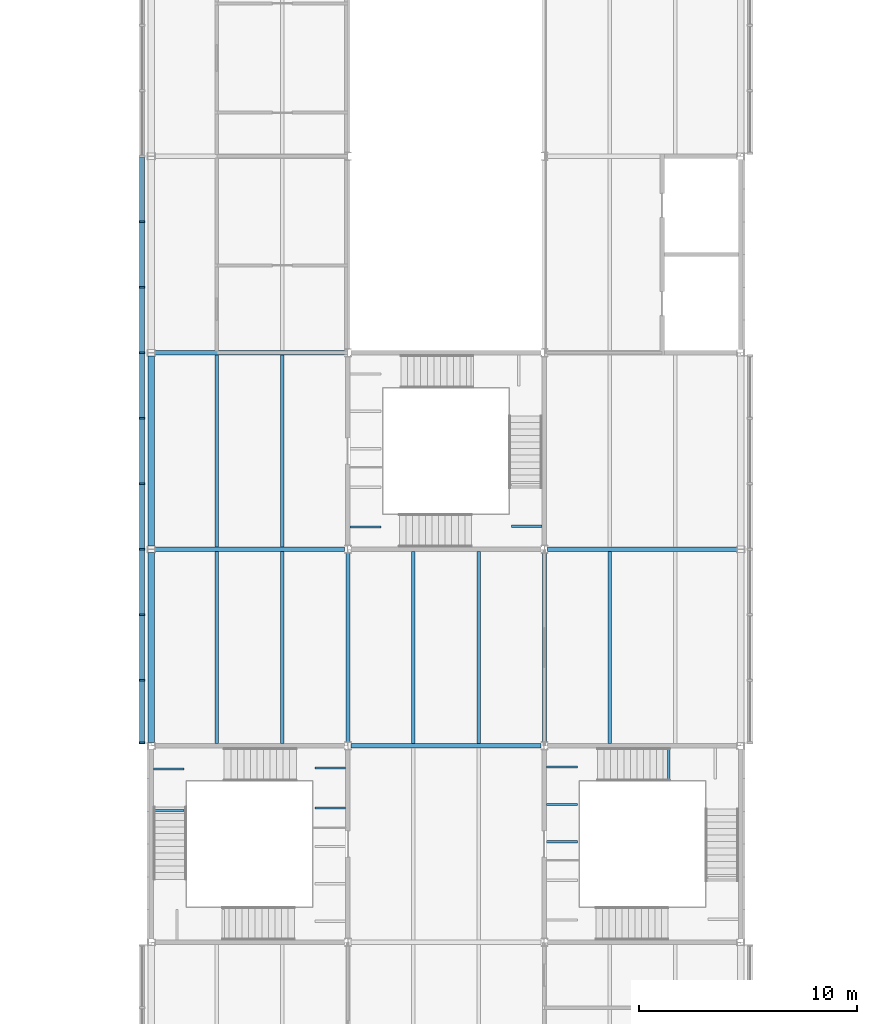
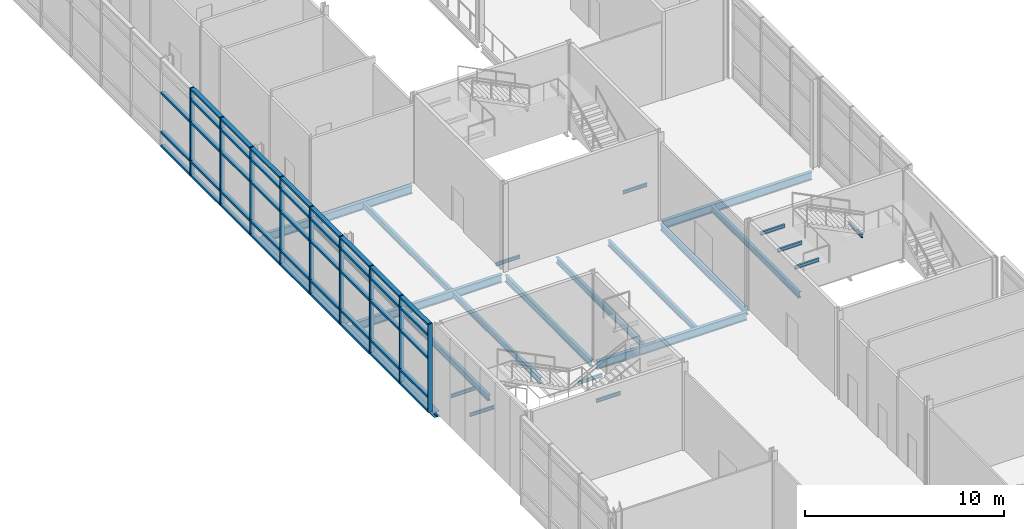
# One storey, part 11 of 52: 52 members, 25 beams, 1 element without a shape of its own.
"""IFC4 building model written with IfcOpenShell, lengths in metres."""

import ifcopenshell
import ifcopenshell.guid

model = None  # the IFC model being written
_history = None  # IfcOwnerHistory: only IFC2X3 demands one
_inside = {}  # id of a spatial element -> (the spatial element, [elements in it])
_under = {}  # id of a project, library or spatial element -> (it, [spatial elements below it])
_declared = {}  # id of a project -> (the project, [libraries it declares])
_typed = {}  # id of a type object -> (the type object, [elements of that type])
_made_of = {}  # id of a material, layer set ... -> (it, [elements and type objects made of it])


def new_model(schema):
    """Start an empty IFC model of exactly this schema.

    Asked for "IFC4X3", IfcOpenShell would pick the latest addendum, in which some entities
    have other attributes; the version numbers below select the first issue.
    IFC2X3 requires an IfcOwnerHistory on every rooted entity: one is made here for all.
    """
    global model, _history
    if schema == "IFC4X3":
        model = ifcopenshell.file(schema_version=(4, 3, 0, 0))
    else:
        model = ifcopenshell.file(schema=schema)
    _inside.clear()
    _under.clear()
    _declared.clear()
    _typed.clear()
    _made_of.clear()
    _history = None
    if model.schema == "IFC2X3":
        org = make("IfcOrganization", Name="unknown")
        user = make(
            "IfcPersonAndOrganization",
            ThePerson=make("IfcPerson", FamilyName="unknown"),
            TheOrganization=org,
        )
        app = make(
            "IfcApplication",
            ApplicationDeveloper=org,
            Version="unknown",
            ApplicationFullName="unknown",
            ApplicationIdentifier="unknown",
        )
        _history = make(
            "IfcOwnerHistory",
            OwningUser=user,
            OwningApplication=app,
            ChangeAction="ADDED",
            CreationDate=0,
        )
    return model


def make(cls, **values):
    """One entity of the class cls with the attributes given. An attribute that is None is left unset."""
    return model.create_entity(
        cls, **{name: value for name, value in values.items() if value is not None}
    )


def rooted(cls, **values):
    """An entity with a GlobalId (a new one), such as an element, a storey or a relation."""
    return make(cls, GlobalId=ifcopenshell.guid.new(), OwnerHistory=_history, **values)


def si_unit(unit_type, name, prefix=None):
    """IfcSIUnit, for example si_unit("LENGTHUNIT", "METRE", prefix="MILLI")."""
    return make("IfcSIUnit", UnitType=unit_type, Prefix=prefix, Name=name)


def assignment(units):
    """IfcUnitAssignment: the units of a project."""
    return None if units is None else make("IfcUnitAssignment", Units=units)


def point(xyz):
    """IfcCartesianPoint."""
    return None if xyz is None else make("IfcCartesianPoint", Coordinates=xyz)


def direction(xyz):
    """IfcDirection."""
    return None if xyz is None else make("IfcDirection", DirectionRatios=xyz)


def frame(location, z_axis=None, x_axis=None):
    """IfcAxis2Placement3D, a coordinate frame: its origin and axes. An axis left out is left unset."""
    return make(
        "IfcAxis2Placement3D",
        Location=point(location),
        Axis=direction(z_axis),
        RefDirection=direction(x_axis),
    )


def frame_2d(location, x_axis=None):
    """IfcAxis2Placement2D, a coordinate frame in the plane: its origin and x axis."""
    return make(
        "IfcAxis2Placement2D", Location=point(location), RefDirection=direction(x_axis)
    )


def origin():
    """The frame at (0, 0, 0) with its axes left unset."""
    return frame((0.0, 0.0, 0.0))


def origin_2d():
    """The frame at (0, 0) in the plane with its x axis left unset."""
    return frame_2d((0.0, 0.0))


def place(relative_to, where):
    """IfcLocalPlacement: puts the frame where relative to a parent placement (None: the world)."""
    return make(
        "IfcLocalPlacement", PlacementRelTo=relative_to, RelativePlacement=where
    )


def context(
    kind, dimensions, precision=None, world=None, true_north=None, identifier=None
):
    """IfcGeometricRepresentationContext, for example the 3D "Model" context."""
    return make(
        "IfcGeometricRepresentationContext",
        ContextIdentifier=identifier,
        ContextType=kind,
        CoordinateSpaceDimension=dimensions,
        Precision=precision,
        WorldCoordinateSystem=world,
        TrueNorth=true_north,
    )


def subcontext(parent, identifier, kind, view, scale=None):
    """IfcGeometricRepresentationSubContext, for example "Body" below "Model"."""
    return make(
        "IfcGeometricRepresentationSubContext",
        ContextIdentifier=identifier,
        ContextType=kind,
        ParentContext=parent,
        TargetScale=scale,
        TargetView=view,
    )


def project(units=None, contexts=None):
    """IfcProject with its units and contexts."""
    return rooted(
        "IfcProject",
        Name="project",
        RepresentationContexts=contexts,
        UnitsInContext=assignment(units),
    )


def spatial(cls, under=None, at=None, **own):
    """A site, building, storey or space (cls), placed at a placement, below another one or the project."""
    s = rooted(cls, ObjectPlacement=at, **own)
    if under is not None:
        _under.setdefault(under.id(), (under, []))[1].append(s)
    return s


def profile(cls, at=None, kind="AREA", **sizes):
    """A parametric profile (cls). Its sizes go by their IFC names, for example OverallWidth=200.0."""
    return make(cls, ProfileType=kind, Position=at, **sizes)


def rectangle(**sizes):
    """IfcRectangleProfileDef."""
    return profile("IfcRectangleProfileDef", **sizes)


def i_section(**sizes):
    """IfcIShapeProfileDef."""
    return profile("IfcIShapeProfileDef", **sizes)


def extrude(swept, where, along, depth):
    """IfcExtrudedAreaSolid: the profile swept, set in the frame where, extruded along a direction by depth."""
    return make(
        "IfcExtrudedAreaSolid",
        SweptArea=swept,
        Position=where,
        ExtrudedDirection=direction(along),
        Depth=depth,
    )


def shape(context_of_items, identifier, shape_type, items):
    """IfcShapeRepresentation: the items that make up one representation, for example the "Body"."""
    return make(
        "IfcShapeRepresentation",
        ContextOfItems=context_of_items,
        RepresentationIdentifier=identifier,
        RepresentationType=shape_type,
        Items=items,
    )


def material(Name=None, Category=None):
    """IfcMaterial."""
    return make("IfcMaterial", Name=Name, Category=Category)


def material_profile(
    of_material, cross_section, Name=None, Category=None, Priority=None
):
    """IfcMaterialProfile: a cross section and its material."""
    return make(
        "IfcMaterialProfile",
        Name=Name,
        Material=of_material,
        Profile=cross_section,
        Priority=Priority,
        Category=Category,
    )


def profile_set(profiles, Name=None, composite=None):
    """IfcMaterialProfileSet."""
    return make(
        "IfcMaterialProfileSet",
        Name=Name,
        MaterialProfiles=profiles,
        CompositeProfile=composite,
    )


def made_of(thing, what):
    """Note that an element or type object is made of a material, layer set ...; save() writes the relation."""
    if what is not None:
        _made_of.setdefault(what.id(), (what, []))[1].append(thing)
    return thing


def type_object(cls, material=None, **own):
    """A type object (cls), such as IfcWallType, which elements share."""
    return made_of(rooted(cls, **own), material)


def element(
    cls,
    number,
    at=None,
    inside=None,
    cuts=None,
    type_object=None,
    material=None,
    context=None,
    identifier="Body",
    shape_type=None,
    held_by="IfcProductDefinitionShape",
    body=None,
    shapes=None,
    **own,
):
    """One element of the class cls, such as IfcWall. Its Tag is "e" and its number.

    at: its placement. inside: the storey or other place that contains it. cuts: it is an
    opening in that element (IfcRelVoidsElement). A single representation is given by context,
    identifier, shape_type and body (its items); several are given by shapes. held_by: the class
    of the entity that holds the representations. save() writes the other relations.
    """
    e = rooted(cls, Tag="e%d" % number, ObjectPlacement=at, **own)
    if body is not None:
        shapes = [shape(context, identifier, shape_type, body)]
    if shapes is not None:
        e.Representation = make(held_by, Representations=shapes)
    if inside is not None:
        _inside.setdefault(inside.id(), (inside, []))[1].append(e)
    if cuts is not None:
        rooted(
            "IfcRelVoidsElement", RelatingBuildingElement=cuts, RelatedOpeningElement=e
        )
    if type_object is not None:
        _typed.setdefault(type_object.id(), (type_object, []))[1].append(e)
    return made_of(e, material)


def aggregate(whole, parts):
    """IfcRelAggregates: a whole, such as a stair, and the parts it consists of."""
    return rooted("IfcRelAggregates", RelatingObject=whole, RelatedObjects=parts)


def save(model, path):
    """Write the relations noted so far, then the file.

    IfcRelAggregates (storeys below a building ...), IfcRelContainedInSpatialStructure (elements
    in a storey), IfcRelDefinesByType, IfcRelAssociatesMaterial and IfcRelDeclares: one each for
    every whole, place, type object, material and project.
    """
    for whole, parts in _under.values():
        aggregate(whole, parts)
    for where, things in _inside.values():
        rooted(
            "IfcRelContainedInSpatialStructure",
            RelatedElements=things,
            RelatingStructure=where,
        )
    for kind, things in _typed.values():
        rooted("IfcRelDefinesByType", RelatedObjects=things, RelatingType=kind)
    for what, things in _made_of.values():
        rooted("IfcRelAssociatesMaterial", RelatedObjects=things, RelatingMaterial=what)
    for by, libraries in _declared.values():
        rooted("IfcRelDeclares", RelatingContext=by, RelatedDefinitions=libraries)
    model.write(path)


model = new_model("IFC4")

# Units and contexts
model_context = context("Model", 3, precision=1e-05, world=origin(), true_north=direction((0.0, 1.0)))
body_context = subcontext(model_context, "Body", "Model", "MODEL_VIEW")
ifc_project = project(units=[si_unit("LENGTHUNIT", "METRE"), si_unit("AREAUNIT", "SQUARE_METRE"), si_unit("VOLUMEUNIT", "CUBIC_METRE"), si_unit("PLANEANGLEUNIT", "RADIAN"), si_unit("MASSUNIT", "GRAM", prefix="KILO")], contexts=[model_context])

# Site, building, storey
site_placement = place(None, origin())
site = spatial("IfcSite", under=ifc_project, at=site_placement, CompositionType="ELEMENT")
building_placement = place(site_placement, origin())
building = spatial("IfcBuilding", under=site, at=building_placement, Name="Azimuth Sports and Learning Centre", CompositionType="ELEMENT")
storey_placement = place(building_placement, frame((0.0, 0.0, 16.199951171875)))
storey = spatial("IfcBuildingStorey", under=building, at=storey_placement, Name="L03", CompositionType="ELEMENT", Elevation=16.199951171875)

# Beams
ifc_material_1 = material(Name="Steel S355", Category="steel")
ifc_material_profile_1 = material_profile(ifc_material_1, i_section(OverallWidth=0.10009765625, OverallDepth=0.199951171875, WebThickness=0.005615234375, FlangeThickness=0.008544921875, FilletRadius=0.011962890625, at=origin_2d()), Name="IPE 200")
ifc_profile_set_1 = profile_set([ifc_material_profile_1], Name="Steel S355")
beam_type_1 = type_object("IfcBeamType", Name="Beam IPE 200", PredefinedType="BEAM", material=ifc_profile_set_1)
for number, where, z_axis, x_axis, name in (
    (1, (80.89990234375, 33.159912109375, -0.300048828125), (-1.0, 0.0, 0.0), (0.0, -1.0, 0.0), "Landing bracket ST3 L03 1084"),
    (2, (80.89990234375, 34.97998046875, -0.300048828125), (-1.0, 0.0, 0.0), (0.0, -1.0, 0.0), "Landing bracket ST3 L03 1085"),
    (3, (72.10009765625, 33.0400390625, 1.5), (1.0, 0.0, 0.0), (0.0, 1.0, 0.0), "Landing bracket ST3 L03 1086"),
    (4, (72.10009765625, 34.93994140625, 1.5), (1.0, 0.0, 0.0), (0.0, 1.0, 0.0), "Landing bracket ST3 L03 1087"),
    (5, (95.702392578125, 35.89990234375, 3.300048828125), (0.0, -1.0, 0.0), (1.0, 0.0, 0.0), "Landing bracket ST4 L03 1122"),
    (6, (90.10009765625, 31.606689453125, 5.10009765625), (1.0, 0.0, 0.0), (0.0, 1.0, 0.0), "Landing bracket ST4 L03 1124"),
    (7, (90.10009765625, 33.320068359375, 5.10009765625), (1.0, 0.0, 0.0), (0.0, 1.0, 0.0), "Landing bracket ST4 L03 1125"),
    (8, (90.10009765625, 35.033447265625, 5.10009765625), (1.0, 0.0, 0.0), (0.0, 1.0, 0.0), "Landing bracket ST4 L03 1126"),
    (9, (81.10009765625, 46.02001953125, -0.300048828125), (1.0, 0.0, 0.0), (0.0, 1.0, 0.0), "Landing bracket STC L03 1152"),
    (10, (89.89990234375, 46.06005859375, 1.5), (-1.0, 0.0, 0.0), (0.0, -1.0, 0.0), "Landing bracket STC L03 1154"),
):
    element("IfcBeam", number, at=place(storey_placement, frame(where, z_axis=z_axis, x_axis=x_axis)), inside=storey, type_object=beam_type_1, Name=name, PredefinedType="BEAM", context=body_context, shape_type="SweptSolid", body=[
        extrude(i_section(OverallWidth=0.10009765625, OverallDepth=0.199951171875, WebThickness=0.005615234375, FlangeThickness=0.008544921875, FilletRadius=0.011962890625, at=origin_2d()), origin(), (0.0, 0.0, 1.0), 1.409912109375),
    ])
ifc_material_2 = material(Name="Steel S355", Category="steel")
ifc_material_profile_2 = material_profile(ifc_material_2, i_section(OverallWidth=0.179931640625, OverallDepth=0.39990234375, WebThickness=0.008544921875, FlangeThickness=0.013427734375, FilletRadius=0.02099609375, at=origin_2d()), Name="IPE 400")
ifc_profile_set_2 = profile_set([ifc_material_profile_2], Name="Steel S355")
beam_type_2 = type_object("IfcBeamType", Name="Beam IPE 400", PredefinedType="BEAM", material=ifc_profile_set_2)
for number, where, z_axis, x_axis, name in (
    (11, (81.0, 36.179931640625, -0.349853515625), (0.0, 1.0, 0.0), (-1.0, 0.0, 0.0), "Beam L03 ST 31"),
    (12, (90.0, 36.179931640625, -0.349853515625), (0.0, 1.0, 0.0), (-1.0, 0.0, 0.0), "Beam L03 ST 37"),
):
    element("IfcBeam", number, at=place(storey_placement, frame(where, z_axis=z_axis, x_axis=x_axis)), inside=storey, type_object=beam_type_2, Name=name, PredefinedType="BEAM", context=body_context, shape_type="SweptSolid", body=[
        extrude(i_section(OverallWidth=0.179931640625, OverallDepth=0.39990234375, WebThickness=0.008544921875, FlangeThickness=0.013427734375, FilletRadius=0.02099609375, at=origin_2d()), origin(), (0.0, 0.0, 1.0), 8.64013671875),
    ])
ifc_material_3 = material(Name="Steel S355", Category="steel")
ifc_material_profile_3 = material_profile(ifc_material_3, i_section(OverallWidth=0.199951171875, OverallDepth=0.5, WebThickness=0.01025390625, FlangeThickness=0.01611328125, FilletRadius=0.02099609375, at=origin_2d()), Name="IPE 500")
ifc_profile_set_3 = profile_set([ifc_material_profile_3], Name="Steel S355")
beam_type_3 = type_object("IfcBeamType", Name="Beam IPE 500", PredefinedType="BEAM", material=ifc_profile_set_3)
beam_placement = place(storey_placement, frame((81.14990234375, 36.0, -0.39990234375), z_axis=(1.0, 0.0, 0.0), x_axis=(0.0, 1.0, 0.0)))
element("IfcBeam", 13, at=beam_placement, inside=storey, type_object=beam_type_3, Name="Beam L03 ST 7", PredefinedType="BEAM", context=body_context, shape_type="SweptSolid", body=[
    extrude(i_section(OverallWidth=0.199951171875, OverallDepth=0.5, WebThickness=0.01025390625, FlangeThickness=0.01611328125, FilletRadius=0.02099609375, at=origin_2d()), origin(), (0.0, 0.0, 1.0), 8.7001953125),
])
for number, where, z_axis, x_axis, name in (
    (14, (72.179931640625, 45.0, -0.39990234375), (1.0, 0.0, 0.0), (0.0, 1.0, 0.0), "Beam L03 ST 8"),
    (15, (90.14990234375, 45.0, -0.39990234375), (1.0, 0.0, 0.0), (0.0, 1.0, 0.0), "Beam L03 ST 9"),
    (16, (72.179931640625, 54.0, -0.39990234375), (1.0, 0.0, 0.0), (0.0, 1.0, 0.0), "Beam L03 ST 10"),
):
    element("IfcBeam", number, at=place(storey_placement, frame(where, z_axis=z_axis, x_axis=x_axis)), inside=storey, type_object=beam_type_3, Name=name, PredefinedType="BEAM", context=body_context, shape_type="SweptSolid", body=[
        extrude(i_section(OverallWidth=0.199951171875, OverallDepth=0.5, WebThickness=0.01025390625, FlangeThickness=0.01611328125, FilletRadius=0.02099609375, at=origin_2d()), origin(), (0.0, 0.0, 1.0), 8.670166015625),
    ])
ifc_material_4 = material(Name="Steel S355", Category="steel")
ifc_material_profile_4 = material_profile(ifc_material_4, i_section(OverallWidth=0.300048828125, OverallDepth=0.330078125, WebThickness=0.009521484375, FlangeThickness=0.0166015625, FilletRadius=0.027099609375, at=origin_2d()), Name="HEA 340")
ifc_profile_set_4 = profile_set([ifc_material_profile_4], Name="Steel S355")
beam_type_4 = type_object("IfcBeamType", Name="Edge beam HEA 340", PredefinedType="SPANDREL", material=ifc_profile_set_4)
for number, where, z_axis, x_axis, name in (
    (17, (72.0, 36.14990234375, -0.31494140625), (0.0, 1.0, 0.0), (-1.0, 0.0, 0.0), "Edge beam L03 ST 23"),
    (18, (72.0, 45.14990234375, -0.31494140625), (0.0, 1.0, 0.0), (-1.0, 0.0, 0.0), "Edge beam L03 ST 24"),
):
    element("IfcBeam", number, at=place(storey_placement, frame(where, z_axis=z_axis, x_axis=x_axis)), inside=storey, type_object=beam_type_4, Name=name, PredefinedType="SPANDREL", context=body_context, shape_type="SweptSolid", body=[
        extrude(i_section(OverallWidth=0.300048828125, OverallDepth=0.330078125, WebThickness=0.009521484375, FlangeThickness=0.0166015625, FilletRadius=0.027099609375, at=origin_2d()), origin(), (0.0, 0.0, 1.0), 8.7001953125),
    ])
ifc_material_5 = material(Name="Steel S355", Category="steel")
ifc_material_profile_5 = material_profile(ifc_material_5, i_section(OverallWidth=0.169921875, OverallDepth=0.360107421875, WebThickness=0.008056640625, FlangeThickness=0.0126953125, FilletRadius=0.01806640625, at=origin_2d()), Name="IPE 360")
ifc_profile_set_5 = profile_set([ifc_material_profile_5], Name="Steel S355")
beam_type_5 = type_object("IfcBeamType", Name="Joist IPE 360", PredefinedType="JOIST", material=ifc_profile_set_5)
for number, where, z_axis, x_axis, name in (
    (19, (75.0, 36.10009765625, -0.329833984375), (0.0, 1.0, 0.0), (-1.0, 0.0, 0.0), "Joist L03 ST 50"),
    (20, (75.0, 45.10009765625, -0.329833984375), (0.0, 1.0, 0.0), (-1.0, 0.0, 0.0), "Joist L03 ST 51"),
    (21, (78.0, 36.10009765625, -0.329833984375), (0.0, 1.0, 0.0), (-1.0, 0.0, 0.0), "Joist L03 ST 58"),
    (22, (78.0, 45.10009765625, -0.329833984375), (0.0, 1.0, 0.0), (-1.0, 0.0, 0.0), "Joist L03 ST 59"),
    (23, (84.0, 36.10009765625, -0.329833984375), (0.0, 1.0, 0.0), (-1.0, 0.0, 0.0), "Joist L03 ST 68"),
    (24, (87.0, 36.10009765625, -0.329833984375), (0.0, 1.0, 0.0), (-1.0, 0.0, 0.0), "Joist L03 ST 74"),
    (25, (93.0, 36.10009765625, -0.329833984375), (0.0, 1.0, 0.0), (-1.0, 0.0, 0.0), "Joist L03 ST 78"),
):
    element("IfcBeam", number, at=place(storey_placement, frame(where, z_axis=z_axis, x_axis=x_axis)), inside=storey, type_object=beam_type_5, Name=name, PredefinedType="JOIST", context=body_context, shape_type="SweptSolid", body=[
        extrude(i_section(OverallWidth=0.169921875, OverallDepth=0.360107421875, WebThickness=0.008056640625, FlangeThickness=0.0126953125, FilletRadius=0.01806640625, at=origin_2d()), origin(), (0.0, 0.0, 1.0), 8.7998046875),
    ])

# Curtain wall, members
ifc_material_6 = material(Name="Aluminium and glass", Category="aluminium")
curtain_wall_type = type_object("IfcCurtainWallType", Name="Curtain wall podium stem 240", PredefinedType="NOTDEFINED", material=ifc_material_6)
curtain_wall_placement = place(storey_placement, origin())
curtain_wall = element("IfcCurtainWall", 26, at=curtain_wall_placement, inside=storey, type_object=curtain_wall_type, Name="Curtain wall CW03-003", PredefinedType="NOTDEFINED")
ifc_material_7 = material(Name="Aluminium", Category="aluminium")
ifc_material_profile_6 = material_profile(ifc_material_7, rectangle(XDim=0.239990234375, YDim=0.080078125, at=origin_2d()), Name="Mullion 80x240")
ifc_profile_set_6 = profile_set([ifc_material_profile_6], Name="Aluminium")
member_type_1 = type_object("IfcMemberType", Name="Mullion 80x240", PredefinedType="MULLION", material=ifc_profile_set_6)
member_1_placement = place(storey_placement, frame((71.580078125, 60.0, 0.0), z_axis=(0.0, 0.0, 1.0), x_axis=(1.0, 0.0, 0.0)))
member_1 = element("IfcMember", 27, at=member_1_placement, type_object=member_type_1, Name="CW03-003 mullion 11", PredefinedType="MULLION", context=body_context, shape_type="SweptSolid", body=[
    extrude(rectangle(XDim=0.239990234375, YDim=0.080078125, at=origin_2d()), origin(), (0.0, 0.0, 1.0), 5.400146484375),
])
member_2_placement = place(storey_placement, frame((71.580078125, 57.0, 0.0), z_axis=(0.0, 0.0, 1.0), x_axis=(1.0, 0.0, 0.0)))
member_2 = element("IfcMember", 28, at=member_2_placement, type_object=member_type_1, Name="CW03-003 mullion 12", PredefinedType="MULLION", context=body_context, shape_type="SweptSolid", body=[
    extrude(rectangle(XDim=0.239990234375, YDim=0.080078125, at=origin_2d()), origin(), (0.0, 0.0, 1.0), 5.400146484375),
])
member_3_placement = place(storey_placement, frame((71.580078125, 54.0, 0.0), z_axis=(0.0, 0.0, 1.0), x_axis=(1.0, 0.0, 0.0)))
member_3 = element("IfcMember", 29, at=member_3_placement, type_object=member_type_1, Name="CW03-003 mullion 13", PredefinedType="MULLION", context=body_context, shape_type="SweptSolid", body=[
    extrude(rectangle(XDim=0.239990234375, YDim=0.080078125, at=origin_2d()), origin(), (0.0, 0.0, 1.0), 5.400146484375),
])
member_4_placement = place(storey_placement, frame((71.580078125, 51.0, 0.0), z_axis=(0.0, 0.0, 1.0), x_axis=(1.0, 0.0, 0.0)))
member_4 = element("IfcMember", 30, at=member_4_placement, type_object=member_type_1, Name="CW03-003 mullion 14", PredefinedType="MULLION", context=body_context, shape_type="SweptSolid", body=[
    extrude(rectangle(XDim=0.239990234375, YDim=0.080078125, at=origin_2d()), origin(), (0.0, 0.0, 1.0), 5.400146484375),
])
member_5_placement = place(storey_placement, frame((71.580078125, 48.0, 0.0), z_axis=(0.0, 0.0, 1.0), x_axis=(1.0, 0.0, 0.0)))
member_5 = element("IfcMember", 31, at=member_5_placement, type_object=member_type_1, Name="CW03-003 mullion 15", PredefinedType="MULLION", context=body_context, shape_type="SweptSolid", body=[
    extrude(rectangle(XDim=0.239990234375, YDim=0.080078125, at=origin_2d()), origin(), (0.0, 0.0, 1.0), 5.400146484375),
])
member_6_placement = place(storey_placement, frame((71.580078125, 45.0, 0.0), z_axis=(0.0, 0.0, 1.0), x_axis=(1.0, 0.0, 0.0)))
member_6 = element("IfcMember", 32, at=member_6_placement, type_object=member_type_1, Name="CW03-003 mullion 16", PredefinedType="MULLION", context=body_context, shape_type="SweptSolid", body=[
    extrude(rectangle(XDim=0.239990234375, YDim=0.080078125, at=origin_2d()), origin(), (0.0, 0.0, 1.0), 5.400146484375),
])
member_7_placement = place(storey_placement, frame((71.580078125, 42.0, 0.0), z_axis=(0.0, 0.0, 1.0), x_axis=(1.0, 0.0, 0.0)))
member_7 = element("IfcMember", 33, at=member_7_placement, type_object=member_type_1, Name="CW03-003 mullion 17", PredefinedType="MULLION", context=body_context, shape_type="SweptSolid", body=[
    extrude(rectangle(XDim=0.239990234375, YDim=0.080078125, at=origin_2d()), origin(), (0.0, 0.0, 1.0), 5.400146484375),
])
member_8_placement = place(storey_placement, frame((71.580078125, 39.0, 0.0), z_axis=(0.0, 0.0, 1.0), x_axis=(1.0, 0.0, 0.0)))
member_8 = element("IfcMember", 34, at=member_8_placement, type_object=member_type_1, Name="CW03-003 mullion 18", PredefinedType="MULLION", context=body_context, shape_type="SweptSolid", body=[
    extrude(rectangle(XDim=0.239990234375, YDim=0.080078125, at=origin_2d()), origin(), (0.0, 0.0, 1.0), 5.400146484375),
])
member_9_placement = place(storey_placement, frame((71.580078125, 36.139892578125, 0.0), z_axis=(0.0, 0.0, 1.0), x_axis=(1.0, 0.0, 0.0)))
member_9 = element("IfcMember", 35, at=member_9_placement, type_object=member_type_1, Name="CW03-003 mullion 19", PredefinedType="MULLION", context=body_context, shape_type="SweptSolid", body=[
    extrude(rectangle(XDim=0.239990234375, YDim=0.080078125, at=origin_2d()), origin(), (0.0, 0.0, 1.0), 5.400146484375),
])
ifc_material_8 = material(Name="Aluminium", Category="aluminium")
ifc_material_profile_7 = material_profile(ifc_material_8, rectangle(XDim=0.239990234375, YDim=0.1201171875, at=origin_2d()), Name="Transom 120x240")
ifc_profile_set_7 = profile_set([ifc_material_profile_7], Name="Aluminium")
member_type_2 = type_object("IfcMemberType", Name="Transom 120x240", PredefinedType="USERDEFINED", material=ifc_profile_set_7)
member_10_placement = place(storey_placement, frame((71.580078125, 62.9599609375, 0.06005859375), z_axis=(0.0, -1.0, 0.0), x_axis=(1.0, 0.0, 0.0)))
member_10 = element("IfcMember", 36, at=member_10_placement, type_object=member_type_2, Name="CW03-003 transom 10.1", ObjectType="TRANSOM", PredefinedType="USERDEFINED", context=body_context, shape_type="SweptSolid", body=[
    extrude(rectangle(XDim=0.239990234375, YDim=0.1201171875, at=origin_2d()), origin(), (0.0, 0.0, 1.0), 2.919921875),
])
member_11_placement = place(storey_placement, frame((71.580078125, 62.9599609375, 0.900146484375), z_axis=(0.0, -1.0, 0.0), x_axis=(1.0, 0.0, 0.0)))
member_11 = element("IfcMember", 37, at=member_11_placement, type_object=member_type_2, Name="CW03-003 transom 10.2", ObjectType="TRANSOM", PredefinedType="USERDEFINED", context=body_context, shape_type="SweptSolid", body=[
    extrude(rectangle(XDim=0.239990234375, YDim=0.1201171875, at=origin_2d()), origin(), (0.0, 0.0, 1.0), 2.919921875),
])
member_12_placement = place(storey_placement, frame((71.580078125, 62.9599609375, 3.300048828125), z_axis=(0.0, -1.0, 0.0), x_axis=(1.0, 0.0, 0.0)))
member_12 = element("IfcMember", 38, at=member_12_placement, type_object=member_type_2, Name="CW03-003 transom 10.3", ObjectType="TRANSOM", PredefinedType="USERDEFINED", context=body_context, shape_type="SweptSolid", body=[
    extrude(rectangle(XDim=0.239990234375, YDim=0.1201171875, at=origin_2d()), origin(), (0.0, 0.0, 1.0), 2.919921875),
])
member_13_placement = place(storey_placement, frame((71.580078125, 59.9599609375, 0.06005859375), z_axis=(0.0, -1.0, 0.0), x_axis=(1.0, 0.0, 0.0)))
member_13 = element("IfcMember", 39, at=member_13_placement, type_object=member_type_2, Name="CW03-003 transom 11.1", ObjectType="TRANSOM", PredefinedType="USERDEFINED", context=body_context, shape_type="SweptSolid", body=[
    extrude(rectangle(XDim=0.239990234375, YDim=0.1201171875, at=origin_2d()), origin(), (0.0, 0.0, 1.0), 2.919921875),
])
member_14_placement = place(storey_placement, frame((71.580078125, 59.9599609375, 0.900146484375), z_axis=(0.0, -1.0, 0.0), x_axis=(1.0, 0.0, 0.0)))
member_14 = element("IfcMember", 40, at=member_14_placement, type_object=member_type_2, Name="CW03-003 transom 11.2", ObjectType="TRANSOM", PredefinedType="USERDEFINED", context=body_context, shape_type="SweptSolid", body=[
    extrude(rectangle(XDim=0.239990234375, YDim=0.1201171875, at=origin_2d()), origin(), (0.0, 0.0, 1.0), 2.919921875),
])
member_15_placement = place(storey_placement, frame((71.580078125, 59.9599609375, 3.300048828125), z_axis=(0.0, -1.0, 0.0), x_axis=(1.0, 0.0, 0.0)))
member_15 = element("IfcMember", 41, at=member_15_placement, type_object=member_type_2, Name="CW03-003 transom 11.3", ObjectType="TRANSOM", PredefinedType="USERDEFINED", context=body_context, shape_type="SweptSolid", body=[
    extrude(rectangle(XDim=0.239990234375, YDim=0.1201171875, at=origin_2d()), origin(), (0.0, 0.0, 1.0), 2.919921875),
])
member_16_placement = place(storey_placement, frame((71.580078125, 59.9599609375, 4.699951171875), z_axis=(0.0, -1.0, 0.0), x_axis=(1.0, 0.0, 0.0)))
member_16 = element("IfcMember", 42, at=member_16_placement, type_object=member_type_2, Name="CW03-003 transom 11.4", ObjectType="TRANSOM", PredefinedType="USERDEFINED", context=body_context, shape_type="SweptSolid", body=[
    extrude(rectangle(XDim=0.239990234375, YDim=0.1201171875, at=origin_2d()), origin(), (0.0, 0.0, 1.0), 2.919921875),
])
member_17_placement = place(storey_placement, frame((71.580078125, 59.9599609375, 5.340087890625), z_axis=(0.0, -1.0, 0.0), x_axis=(1.0, 0.0, 0.0)))
member_17 = element("IfcMember", 43, at=member_17_placement, type_object=member_type_2, Name="CW03-003 transom 11.5", ObjectType="TRANSOM", PredefinedType="USERDEFINED", context=body_context, shape_type="SweptSolid", body=[
    extrude(rectangle(XDim=0.239990234375, YDim=0.1201171875, at=origin_2d()), origin(), (0.0, 0.0, 1.0), 2.919921875),
])
member_18_placement = place(storey_placement, frame((71.580078125, 56.9599609375, 0.06005859375), z_axis=(0.0, -1.0, 0.0), x_axis=(1.0, 0.0, 0.0)))
member_18 = element("IfcMember", 44, at=member_18_placement, type_object=member_type_2, Name="CW03-003 transom 12.1", ObjectType="TRANSOM", PredefinedType="USERDEFINED", context=body_context, shape_type="SweptSolid", body=[
    extrude(rectangle(XDim=0.239990234375, YDim=0.1201171875, at=origin_2d()), origin(), (0.0, 0.0, 1.0), 2.919921875),
])
member_19_placement = place(storey_placement, frame((71.580078125, 56.9599609375, 0.900146484375), z_axis=(0.0, -1.0, 0.0), x_axis=(1.0, 0.0, 0.0)))
member_19 = element("IfcMember", 45, at=member_19_placement, type_object=member_type_2, Name="CW03-003 transom 12.2", ObjectType="TRANSOM", PredefinedType="USERDEFINED", context=body_context, shape_type="SweptSolid", body=[
    extrude(rectangle(XDim=0.239990234375, YDim=0.1201171875, at=origin_2d()), origin(), (0.0, 0.0, 1.0), 2.919921875),
])
member_20_placement = place(storey_placement, frame((71.580078125, 56.9599609375, 3.300048828125), z_axis=(0.0, -1.0, 0.0), x_axis=(1.0, 0.0, 0.0)))
member_20 = element("IfcMember", 46, at=member_20_placement, type_object=member_type_2, Name="CW03-003 transom 12.3", ObjectType="TRANSOM", PredefinedType="USERDEFINED", context=body_context, shape_type="SweptSolid", body=[
    extrude(rectangle(XDim=0.239990234375, YDim=0.1201171875, at=origin_2d()), origin(), (0.0, 0.0, 1.0), 2.919921875),
])
member_21_placement = place(storey_placement, frame((71.580078125, 56.9599609375, 4.699951171875), z_axis=(0.0, -1.0, 0.0), x_axis=(1.0, 0.0, 0.0)))
member_21 = element("IfcMember", 47, at=member_21_placement, type_object=member_type_2, Name="CW03-003 transom 12.4", ObjectType="TRANSOM", PredefinedType="USERDEFINED", context=body_context, shape_type="SweptSolid", body=[
    extrude(rectangle(XDim=0.239990234375, YDim=0.1201171875, at=origin_2d()), origin(), (0.0, 0.0, 1.0), 2.919921875),
])
member_22_placement = place(storey_placement, frame((71.580078125, 56.9599609375, 5.340087890625), z_axis=(0.0, -1.0, 0.0), x_axis=(1.0, 0.0, 0.0)))
member_22 = element("IfcMember", 48, at=member_22_placement, type_object=member_type_2, Name="CW03-003 transom 12.5", ObjectType="TRANSOM", PredefinedType="USERDEFINED", context=body_context, shape_type="SweptSolid", body=[
    extrude(rectangle(XDim=0.239990234375, YDim=0.1201171875, at=origin_2d()), origin(), (0.0, 0.0, 1.0), 2.919921875),
])
member_23_placement = place(storey_placement, frame((71.580078125, 53.9599609375, 0.06005859375), z_axis=(0.0, -1.0, 0.0), x_axis=(1.0, 0.0, 0.0)))
member_23 = element("IfcMember", 49, at=member_23_placement, type_object=member_type_2, Name="CW03-003 transom 13.1", ObjectType="TRANSOM", PredefinedType="USERDEFINED", context=body_context, shape_type="SweptSolid", body=[
    extrude(rectangle(XDim=0.239990234375, YDim=0.1201171875, at=origin_2d()), origin(), (0.0, 0.0, 1.0), 2.919921875),
])
member_24_placement = place(storey_placement, frame((71.580078125, 53.9599609375, 0.900146484375), z_axis=(0.0, -1.0, 0.0), x_axis=(1.0, 0.0, 0.0)))
member_24 = element("IfcMember", 50, at=member_24_placement, type_object=member_type_2, Name="CW03-003 transom 13.2", ObjectType="TRANSOM", PredefinedType="USERDEFINED", context=body_context, shape_type="SweptSolid", body=[
    extrude(rectangle(XDim=0.239990234375, YDim=0.1201171875, at=origin_2d()), origin(), (0.0, 0.0, 1.0), 2.919921875),
])
member_25_placement = place(storey_placement, frame((71.580078125, 53.9599609375, 3.300048828125), z_axis=(0.0, -1.0, 0.0), x_axis=(1.0, 0.0, 0.0)))
member_25 = element("IfcMember", 51, at=member_25_placement, type_object=member_type_2, Name="CW03-003 transom 13.3", ObjectType="TRANSOM", PredefinedType="USERDEFINED", context=body_context, shape_type="SweptSolid", body=[
    extrude(rectangle(XDim=0.239990234375, YDim=0.1201171875, at=origin_2d()), origin(), (0.0, 0.0, 1.0), 2.919921875),
])
member_26_placement = place(storey_placement, frame((71.580078125, 53.9599609375, 4.699951171875), z_axis=(0.0, -1.0, 0.0), x_axis=(1.0, 0.0, 0.0)))
member_26 = element("IfcMember", 52, at=member_26_placement, type_object=member_type_2, Name="CW03-003 transom 13.4", ObjectType="TRANSOM", PredefinedType="USERDEFINED", context=body_context, shape_type="SweptSolid", body=[
    extrude(rectangle(XDim=0.239990234375, YDim=0.1201171875, at=origin_2d()), origin(), (0.0, 0.0, 1.0), 2.919921875),
])
member_27_placement = place(storey_placement, frame((71.580078125, 53.9599609375, 5.340087890625), z_axis=(0.0, -1.0, 0.0), x_axis=(1.0, 0.0, 0.0)))
member_27 = element("IfcMember", 53, at=member_27_placement, type_object=member_type_2, Name="CW03-003 transom 13.5", ObjectType="TRANSOM", PredefinedType="USERDEFINED", context=body_context, shape_type="SweptSolid", body=[
    extrude(rectangle(XDim=0.239990234375, YDim=0.1201171875, at=origin_2d()), origin(), (0.0, 0.0, 1.0), 2.919921875),
])
member_28_placement = place(storey_placement, frame((71.580078125, 50.9599609375, 0.06005859375), z_axis=(0.0, -1.0, 0.0), x_axis=(1.0, 0.0, 0.0)))
member_28 = element("IfcMember", 54, at=member_28_placement, type_object=member_type_2, Name="CW03-003 transom 14.1", ObjectType="TRANSOM", PredefinedType="USERDEFINED", context=body_context, shape_type="SweptSolid", body=[
    extrude(rectangle(XDim=0.239990234375, YDim=0.1201171875, at=origin_2d()), origin(), (0.0, 0.0, 1.0), 2.919921875),
])
member_29_placement = place(storey_placement, frame((71.580078125, 50.9599609375, 0.900146484375), z_axis=(0.0, -1.0, 0.0), x_axis=(1.0, 0.0, 0.0)))
member_29 = element("IfcMember", 55, at=member_29_placement, type_object=member_type_2, Name="CW03-003 transom 14.2", ObjectType="TRANSOM", PredefinedType="USERDEFINED", context=body_context, shape_type="SweptSolid", body=[
    extrude(rectangle(XDim=0.239990234375, YDim=0.1201171875, at=origin_2d()), origin(), (0.0, 0.0, 1.0), 2.919921875),
])
member_30_placement = place(storey_placement, frame((71.580078125, 50.9599609375, 3.300048828125), z_axis=(0.0, -1.0, 0.0), x_axis=(1.0, 0.0, 0.0)))
member_30 = element("IfcMember", 56, at=member_30_placement, type_object=member_type_2, Name="CW03-003 transom 14.3", ObjectType="TRANSOM", PredefinedType="USERDEFINED", context=body_context, shape_type="SweptSolid", body=[
    extrude(rectangle(XDim=0.239990234375, YDim=0.1201171875, at=origin_2d()), origin(), (0.0, 0.0, 1.0), 2.919921875),
])
member_31_placement = place(storey_placement, frame((71.580078125, 50.9599609375, 4.699951171875), z_axis=(0.0, -1.0, 0.0), x_axis=(1.0, 0.0, 0.0)))
member_31 = element("IfcMember", 57, at=member_31_placement, type_object=member_type_2, Name="CW03-003 transom 14.4", ObjectType="TRANSOM", PredefinedType="USERDEFINED", context=body_context, shape_type="SweptSolid", body=[
    extrude(rectangle(XDim=0.239990234375, YDim=0.1201171875, at=origin_2d()), origin(), (0.0, 0.0, 1.0), 2.919921875),
])
member_32_placement = place(storey_placement, frame((71.580078125, 50.9599609375, 5.340087890625), z_axis=(0.0, -1.0, 0.0), x_axis=(1.0, 0.0, 0.0)))
member_32 = element("IfcMember", 58, at=member_32_placement, type_object=member_type_2, Name="CW03-003 transom 14.5", ObjectType="TRANSOM", PredefinedType="USERDEFINED", context=body_context, shape_type="SweptSolid", body=[
    extrude(rectangle(XDim=0.239990234375, YDim=0.1201171875, at=origin_2d()), origin(), (0.0, 0.0, 1.0), 2.919921875),
])
member_33_placement = place(storey_placement, frame((71.580078125, 47.9599609375, 0.06005859375), z_axis=(0.0, -1.0, 0.0), x_axis=(1.0, 0.0, 0.0)))
member_33 = element("IfcMember", 59, at=member_33_placement, type_object=member_type_2, Name="CW03-003 transom 15.1", ObjectType="TRANSOM", PredefinedType="USERDEFINED", context=body_context, shape_type="SweptSolid", body=[
    extrude(rectangle(XDim=0.239990234375, YDim=0.1201171875, at=origin_2d()), origin(), (0.0, 0.0, 1.0), 2.919921875),
])
member_34_placement = place(storey_placement, frame((71.580078125, 47.9599609375, 0.900146484375), z_axis=(0.0, -1.0, 0.0), x_axis=(1.0, 0.0, 0.0)))
member_34 = element("IfcMember", 60, at=member_34_placement, type_object=member_type_2, Name="CW03-003 transom 15.2", ObjectType="TRANSOM", PredefinedType="USERDEFINED", context=body_context, shape_type="SweptSolid", body=[
    extrude(rectangle(XDim=0.239990234375, YDim=0.1201171875, at=origin_2d()), origin(), (0.0, 0.0, 1.0), 2.919921875),
])
member_35_placement = place(storey_placement, frame((71.580078125, 47.9599609375, 3.300048828125), z_axis=(0.0, -1.0, 0.0), x_axis=(1.0, 0.0, 0.0)))
member_35 = element("IfcMember", 61, at=member_35_placement, type_object=member_type_2, Name="CW03-003 transom 15.3", ObjectType="TRANSOM", PredefinedType="USERDEFINED", context=body_context, shape_type="SweptSolid", body=[
    extrude(rectangle(XDim=0.239990234375, YDim=0.1201171875, at=origin_2d()), origin(), (0.0, 0.0, 1.0), 2.919921875),
])
member_36_placement = place(storey_placement, frame((71.580078125, 47.9599609375, 4.699951171875), z_axis=(0.0, -1.0, 0.0), x_axis=(1.0, 0.0, 0.0)))
member_36 = element("IfcMember", 62, at=member_36_placement, type_object=member_type_2, Name="CW03-003 transom 15.4", ObjectType="TRANSOM", PredefinedType="USERDEFINED", context=body_context, shape_type="SweptSolid", body=[
    extrude(rectangle(XDim=0.239990234375, YDim=0.1201171875, at=origin_2d()), origin(), (0.0, 0.0, 1.0), 2.919921875),
])
member_37_placement = place(storey_placement, frame((71.580078125, 47.9599609375, 5.340087890625), z_axis=(0.0, -1.0, 0.0), x_axis=(1.0, 0.0, 0.0)))
member_37 = element("IfcMember", 63, at=member_37_placement, type_object=member_type_2, Name="CW03-003 transom 15.5", ObjectType="TRANSOM", PredefinedType="USERDEFINED", context=body_context, shape_type="SweptSolid", body=[
    extrude(rectangle(XDim=0.239990234375, YDim=0.1201171875, at=origin_2d()), origin(), (0.0, 0.0, 1.0), 2.919921875),
])
member_38_placement = place(storey_placement, frame((71.580078125, 44.9599609375, 0.06005859375), z_axis=(0.0, -1.0, 0.0), x_axis=(1.0, 0.0, 0.0)))
member_38 = element("IfcMember", 64, at=member_38_placement, type_object=member_type_2, Name="CW03-003 transom 16.1", ObjectType="TRANSOM", PredefinedType="USERDEFINED", context=body_context, shape_type="SweptSolid", body=[
    extrude(rectangle(XDim=0.239990234375, YDim=0.1201171875, at=origin_2d()), origin(), (0.0, 0.0, 1.0), 2.919921875),
])
member_39_placement = place(storey_placement, frame((71.580078125, 44.9599609375, 0.900146484375), z_axis=(0.0, -1.0, 0.0), x_axis=(1.0, 0.0, 0.0)))
member_39 = element("IfcMember", 65, at=member_39_placement, type_object=member_type_2, Name="CW03-003 transom 16.2", ObjectType="TRANSOM", PredefinedType="USERDEFINED", context=body_context, shape_type="SweptSolid", body=[
    extrude(rectangle(XDim=0.239990234375, YDim=0.1201171875, at=origin_2d()), origin(), (0.0, 0.0, 1.0), 2.919921875),
])
member_40_placement = place(storey_placement, frame((71.580078125, 44.9599609375, 3.300048828125), z_axis=(0.0, -1.0, 0.0), x_axis=(1.0, 0.0, 0.0)))
member_40 = element("IfcMember", 66, at=member_40_placement, type_object=member_type_2, Name="CW03-003 transom 16.3", ObjectType="TRANSOM", PredefinedType="USERDEFINED", context=body_context, shape_type="SweptSolid", body=[
    extrude(rectangle(XDim=0.239990234375, YDim=0.1201171875, at=origin_2d()), origin(), (0.0, 0.0, 1.0), 2.919921875),
])
member_41_placement = place(storey_placement, frame((71.580078125, 44.9599609375, 4.699951171875), z_axis=(0.0, -1.0, 0.0), x_axis=(1.0, 0.0, 0.0)))
member_41 = element("IfcMember", 67, at=member_41_placement, type_object=member_type_2, Name="CW03-003 transom 16.4", ObjectType="TRANSOM", PredefinedType="USERDEFINED", context=body_context, shape_type="SweptSolid", body=[
    extrude(rectangle(XDim=0.239990234375, YDim=0.1201171875, at=origin_2d()), origin(), (0.0, 0.0, 1.0), 2.919921875),
])
member_42_placement = place(storey_placement, frame((71.580078125, 44.9599609375, 5.340087890625), z_axis=(0.0, -1.0, 0.0), x_axis=(1.0, 0.0, 0.0)))
member_42 = element("IfcMember", 68, at=member_42_placement, type_object=member_type_2, Name="CW03-003 transom 16.5", ObjectType="TRANSOM", PredefinedType="USERDEFINED", context=body_context, shape_type="SweptSolid", body=[
    extrude(rectangle(XDim=0.239990234375, YDim=0.1201171875, at=origin_2d()), origin(), (0.0, 0.0, 1.0), 2.919921875),
])
member_43_placement = place(storey_placement, frame((71.580078125, 41.9599609375, 0.06005859375), z_axis=(0.0, -1.0, 0.0), x_axis=(1.0, 0.0, 0.0)))
member_43 = element("IfcMember", 69, at=member_43_placement, type_object=member_type_2, Name="CW03-003 transom 17.1", ObjectType="TRANSOM", PredefinedType="USERDEFINED", context=body_context, shape_type="SweptSolid", body=[
    extrude(rectangle(XDim=0.239990234375, YDim=0.1201171875, at=origin_2d()), origin(), (0.0, 0.0, 1.0), 2.919921875),
])
member_44_placement = place(storey_placement, frame((71.580078125, 41.9599609375, 0.900146484375), z_axis=(0.0, -1.0, 0.0), x_axis=(1.0, 0.0, 0.0)))
member_44 = element("IfcMember", 70, at=member_44_placement, type_object=member_type_2, Name="CW03-003 transom 17.2", ObjectType="TRANSOM", PredefinedType="USERDEFINED", context=body_context, shape_type="SweptSolid", body=[
    extrude(rectangle(XDim=0.239990234375, YDim=0.1201171875, at=origin_2d()), origin(), (0.0, 0.0, 1.0), 2.919921875),
])
member_45_placement = place(storey_placement, frame((71.580078125, 41.9599609375, 3.300048828125), z_axis=(0.0, -1.0, 0.0), x_axis=(1.0, 0.0, 0.0)))
member_45 = element("IfcMember", 71, at=member_45_placement, type_object=member_type_2, Name="CW03-003 transom 17.3", ObjectType="TRANSOM", PredefinedType="USERDEFINED", context=body_context, shape_type="SweptSolid", body=[
    extrude(rectangle(XDim=0.239990234375, YDim=0.1201171875, at=origin_2d()), origin(), (0.0, 0.0, 1.0), 2.919921875),
])
member_46_placement = place(storey_placement, frame((71.580078125, 41.9599609375, 4.699951171875), z_axis=(0.0, -1.0, 0.0), x_axis=(1.0, 0.0, 0.0)))
member_46 = element("IfcMember", 72, at=member_46_placement, type_object=member_type_2, Name="CW03-003 transom 17.4", ObjectType="TRANSOM", PredefinedType="USERDEFINED", context=body_context, shape_type="SweptSolid", body=[
    extrude(rectangle(XDim=0.239990234375, YDim=0.1201171875, at=origin_2d()), origin(), (0.0, 0.0, 1.0), 2.919921875),
])
member_47_placement = place(storey_placement, frame((71.580078125, 41.9599609375, 5.340087890625), z_axis=(0.0, -1.0, 0.0), x_axis=(1.0, 0.0, 0.0)))
member_47 = element("IfcMember", 73, at=member_47_placement, type_object=member_type_2, Name="CW03-003 transom 17.5", ObjectType="TRANSOM", PredefinedType="USERDEFINED", context=body_context, shape_type="SweptSolid", body=[
    extrude(rectangle(XDim=0.239990234375, YDim=0.1201171875, at=origin_2d()), origin(), (0.0, 0.0, 1.0), 2.919921875),
])
member_48_placement = place(storey_placement, frame((71.580078125, 38.9599609375, 0.06005859375), z_axis=(0.0, -1.0, 0.0), x_axis=(1.0, 0.0, 0.0)))
member_48 = element("IfcMember", 74, at=member_48_placement, type_object=member_type_2, Name="CW03-003 transom 18.1", ObjectType="TRANSOM", PredefinedType="USERDEFINED", context=body_context, shape_type="SweptSolid", body=[
    extrude(rectangle(XDim=0.239990234375, YDim=0.1201171875, at=origin_2d()), origin(), (0.0, 0.0, 1.0), 2.780029296875),
])
member_49_placement = place(storey_placement, frame((71.580078125, 38.9599609375, 0.900146484375), z_axis=(0.0, -1.0, 0.0), x_axis=(1.0, 0.0, 0.0)))
member_49 = element("IfcMember", 75, at=member_49_placement, type_object=member_type_2, Name="CW03-003 transom 18.2", ObjectType="TRANSOM", PredefinedType="USERDEFINED", context=body_context, shape_type="SweptSolid", body=[
    extrude(rectangle(XDim=0.239990234375, YDim=0.1201171875, at=origin_2d()), origin(), (0.0, 0.0, 1.0), 2.780029296875),
])
member_50_placement = place(storey_placement, frame((71.580078125, 38.9599609375, 3.300048828125), z_axis=(0.0, -1.0, 0.0), x_axis=(1.0, 0.0, 0.0)))
member_50 = element("IfcMember", 76, at=member_50_placement, type_object=member_type_2, Name="CW03-003 transom 18.3", ObjectType="TRANSOM", PredefinedType="USERDEFINED", context=body_context, shape_type="SweptSolid", body=[
    extrude(rectangle(XDim=0.239990234375, YDim=0.1201171875, at=origin_2d()), origin(), (0.0, 0.0, 1.0), 2.780029296875),
])
member_51_placement = place(storey_placement, frame((71.580078125, 38.9599609375, 4.699951171875), z_axis=(0.0, -1.0, 0.0), x_axis=(1.0, 0.0, 0.0)))
member_51 = element("IfcMember", 77, at=member_51_placement, type_object=member_type_2, Name="CW03-003 transom 18.4", ObjectType="TRANSOM", PredefinedType="USERDEFINED", context=body_context, shape_type="SweptSolid", body=[
    extrude(rectangle(XDim=0.239990234375, YDim=0.1201171875, at=origin_2d()), origin(), (0.0, 0.0, 1.0), 2.780029296875),
])
member_52_placement = place(storey_placement, frame((71.580078125, 38.9599609375, 5.340087890625), z_axis=(0.0, -1.0, 0.0), x_axis=(1.0, 0.0, 0.0)))
member_52 = element("IfcMember", 78, at=member_52_placement, type_object=member_type_2, Name="CW03-003 transom 18.5", ObjectType="TRANSOM", PredefinedType="USERDEFINED", context=body_context, shape_type="SweptSolid", body=[
    extrude(rectangle(XDim=0.239990234375, YDim=0.1201171875, at=origin_2d()), origin(), (0.0, 0.0, 1.0), 2.780029296875),
])
aggregate(curtain_wall, [member_1, member_2, member_3, member_4, member_5, member_6, member_7, member_8, member_9, member_10, member_11, member_12, member_13, member_14, member_15, member_16, member_17, member_18, member_19, member_20, member_21, member_22, member_23, member_24, member_25, member_26, member_27, member_28, member_29, member_30, member_31, member_32, member_33, member_34, member_35, member_36, member_37, member_38, member_39, member_40, member_41, member_42, member_43, member_44, member_45, member_46, member_47, member_48, member_49, member_50, member_51, member_52])

save(model, "model.ifc")
